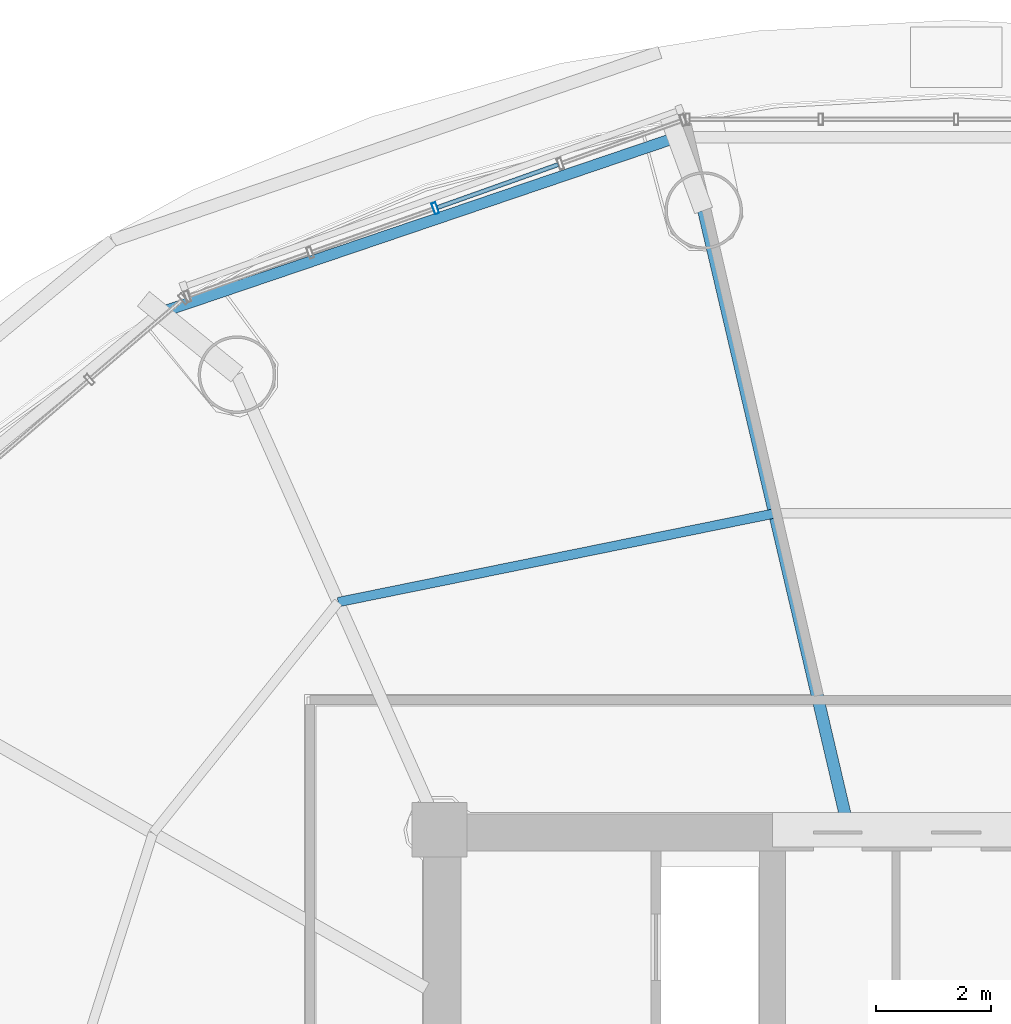
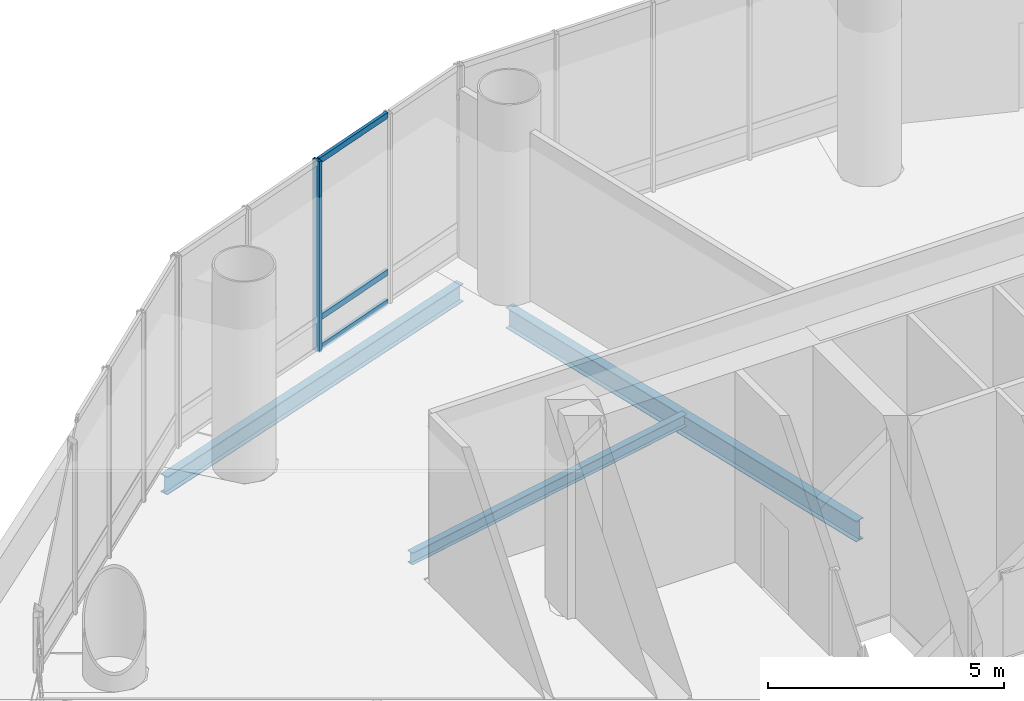
# One storey, part 15 of 29: 4 members, 3 beams, 1 element without a shape of its own.
"""IFC4 building model written with IfcOpenShell, lengths in metres."""

import ifcopenshell
import ifcopenshell.guid

model = None  # the IFC model being written
_history = None  # IfcOwnerHistory: only IFC2X3 demands one
_inside = {}  # id of a spatial element -> (the spatial element, [elements in it])
_under = {}  # id of a project, library or spatial element -> (it, [spatial elements below it])
_declared = {}  # id of a project -> (the project, [libraries it declares])
_typed = {}  # id of a type object -> (the type object, [elements of that type])
_made_of = {}  # id of a material, layer set ... -> (it, [elements and type objects made of it])


def new_model(schema):
    """Start an empty IFC model of exactly this schema.

    Asked for "IFC4X3", IfcOpenShell would pick the latest addendum, in which some entities
    have other attributes; the version numbers below select the first issue.
    IFC2X3 requires an IfcOwnerHistory on every rooted entity: one is made here for all.
    """
    global model, _history
    if schema == "IFC4X3":
        model = ifcopenshell.file(schema_version=(4, 3, 0, 0))
    else:
        model = ifcopenshell.file(schema=schema)
    _inside.clear()
    _under.clear()
    _declared.clear()
    _typed.clear()
    _made_of.clear()
    _history = None
    if model.schema == "IFC2X3":
        org = make("IfcOrganization", Name="unknown")
        user = make(
            "IfcPersonAndOrganization",
            ThePerson=make("IfcPerson", FamilyName="unknown"),
            TheOrganization=org,
        )
        app = make(
            "IfcApplication",
            ApplicationDeveloper=org,
            Version="unknown",
            ApplicationFullName="unknown",
            ApplicationIdentifier="unknown",
        )
        _history = make(
            "IfcOwnerHistory",
            OwningUser=user,
            OwningApplication=app,
            ChangeAction="ADDED",
            CreationDate=0,
        )
    return model


def make(cls, **values):
    """One entity of the class cls with the attributes given. An attribute that is None is left unset."""
    return model.create_entity(
        cls, **{name: value for name, value in values.items() if value is not None}
    )


def rooted(cls, **values):
    """An entity with a GlobalId (a new one), such as an element, a storey or a relation."""
    return make(cls, GlobalId=ifcopenshell.guid.new(), OwnerHistory=_history, **values)


def si_unit(unit_type, name, prefix=None):
    """IfcSIUnit, for example si_unit("LENGTHUNIT", "METRE", prefix="MILLI")."""
    return make("IfcSIUnit", UnitType=unit_type, Prefix=prefix, Name=name)


def assignment(units):
    """IfcUnitAssignment: the units of a project."""
    return None if units is None else make("IfcUnitAssignment", Units=units)


def point(xyz):
    """IfcCartesianPoint."""
    return None if xyz is None else make("IfcCartesianPoint", Coordinates=xyz)


def direction(xyz):
    """IfcDirection."""
    return None if xyz is None else make("IfcDirection", DirectionRatios=xyz)


def frame(location, z_axis=None, x_axis=None):
    """IfcAxis2Placement3D, a coordinate frame: its origin and axes. An axis left out is left unset."""
    return make(
        "IfcAxis2Placement3D",
        Location=point(location),
        Axis=direction(z_axis),
        RefDirection=direction(x_axis),
    )


def frame_2d(location, x_axis=None):
    """IfcAxis2Placement2D, a coordinate frame in the plane: its origin and x axis."""
    return make(
        "IfcAxis2Placement2D", Location=point(location), RefDirection=direction(x_axis)
    )


def origin():
    """The frame at (0, 0, 0) with its axes left unset."""
    return frame((0.0, 0.0, 0.0))


def origin_2d():
    """The frame at (0, 0) in the plane with its x axis left unset."""
    return frame_2d((0.0, 0.0))


def place(relative_to, where):
    """IfcLocalPlacement: puts the frame where relative to a parent placement (None: the world)."""
    return make(
        "IfcLocalPlacement", PlacementRelTo=relative_to, RelativePlacement=where
    )


def context(
    kind, dimensions, precision=None, world=None, true_north=None, identifier=None
):
    """IfcGeometricRepresentationContext, for example the 3D "Model" context."""
    return make(
        "IfcGeometricRepresentationContext",
        ContextIdentifier=identifier,
        ContextType=kind,
        CoordinateSpaceDimension=dimensions,
        Precision=precision,
        WorldCoordinateSystem=world,
        TrueNorth=true_north,
    )


def subcontext(parent, identifier, kind, view, scale=None):
    """IfcGeometricRepresentationSubContext, for example "Body" below "Model"."""
    return make(
        "IfcGeometricRepresentationSubContext",
        ContextIdentifier=identifier,
        ContextType=kind,
        ParentContext=parent,
        TargetScale=scale,
        TargetView=view,
    )


def project(units=None, contexts=None):
    """IfcProject with its units and contexts."""
    return rooted(
        "IfcProject",
        Name="project",
        RepresentationContexts=contexts,
        UnitsInContext=assignment(units),
    )


def spatial(cls, under=None, at=None, **own):
    """A site, building, storey or space (cls), placed at a placement, below another one or the project."""
    s = rooted(cls, ObjectPlacement=at, **own)
    if under is not None:
        _under.setdefault(under.id(), (under, []))[1].append(s)
    return s


def profile(cls, at=None, kind="AREA", **sizes):
    """A parametric profile (cls). Its sizes go by their IFC names, for example OverallWidth=200.0."""
    return make(cls, ProfileType=kind, Position=at, **sizes)


def hollow_rectangle(**sizes):
    """IfcRectangleHollowProfileDef."""
    return profile("IfcRectangleHollowProfileDef", **sizes)


def i_section(**sizes):
    """IfcIShapeProfileDef."""
    return profile("IfcIShapeProfileDef", **sizes)


def extrude(swept, where, along, depth):
    """IfcExtrudedAreaSolid: the profile swept, set in the frame where, extruded along a direction by depth."""
    return make(
        "IfcExtrudedAreaSolid",
        SweptArea=swept,
        Position=where,
        ExtrudedDirection=direction(along),
        Depth=depth,
    )


def shape(context_of_items, identifier, shape_type, items):
    """IfcShapeRepresentation: the items that make up one representation, for example the "Body"."""
    return make(
        "IfcShapeRepresentation",
        ContextOfItems=context_of_items,
        RepresentationIdentifier=identifier,
        RepresentationType=shape_type,
        Items=items,
    )


def source(mapping_origin, context_of_items, identifier, shape_type, items):
    """IfcRepresentationMap: a shape defined once, which mapped items show again and again."""
    return make(
        "IfcRepresentationMap",
        MappingOrigin=mapping_origin,
        MappedRepresentation=shape(context_of_items, identifier, shape_type, items),
    )


def transform(
    local_origin,
    x_axis=None,
    y_axis=None,
    z_axis=None,
    scale=None,
    scale2=None,
    scale3=None,
    uniform=True,
):
    """IfcCartesianTransformationOperator3D, or its non-uniform kind. x_axis, y_axis, z_axis: its Axis1, 2, 3."""
    if uniform:
        return make(
            "IfcCartesianTransformationOperator3D",
            Axis1=direction(x_axis),
            Axis2=direction(y_axis),
            LocalOrigin=point(local_origin),
            Scale=scale,
            Axis3=direction(z_axis),
        )
    return make(
        "IfcCartesianTransformationOperator3DnonUniform",
        Axis1=direction(x_axis),
        Axis2=direction(y_axis),
        LocalOrigin=point(local_origin),
        Scale=scale,
        Axis3=direction(z_axis),
        Scale2=scale2,
        Scale3=scale3,
    )


def mapped(mapping_source, mapping_target):
    """IfcMappedItem: shows the shape of a source again, moved by a transform."""
    return make(
        "IfcMappedItem", MappingSource=mapping_source, MappingTarget=mapping_target
    )


def material(Name=None, Category=None):
    """IfcMaterial."""
    return make("IfcMaterial", Name=Name, Category=Category)


def material_profile(
    of_material, cross_section, Name=None, Category=None, Priority=None
):
    """IfcMaterialProfile: a cross section and its material."""
    return make(
        "IfcMaterialProfile",
        Name=Name,
        Material=of_material,
        Profile=cross_section,
        Priority=Priority,
        Category=Category,
    )


def profile_set(profiles, Name=None, composite=None):
    """IfcMaterialProfileSet."""
    return make(
        "IfcMaterialProfileSet",
        Name=Name,
        MaterialProfiles=profiles,
        CompositeProfile=composite,
    )


def made_of(thing, what):
    """Note that an element or type object is made of a material, layer set ...; save() writes the relation."""
    if what is not None:
        _made_of.setdefault(what.id(), (what, []))[1].append(thing)
    return thing


def type_object(cls, material=None, **own):
    """A type object (cls), such as IfcWallType, which elements share."""
    return made_of(rooted(cls, **own), material)


def element(
    cls,
    number,
    at=None,
    inside=None,
    cuts=None,
    type_object=None,
    material=None,
    context=None,
    identifier="Body",
    shape_type=None,
    held_by="IfcProductDefinitionShape",
    body=None,
    shapes=None,
    **own,
):
    """One element of the class cls, such as IfcWall. Its Tag is "e" and its number.

    at: its placement. inside: the storey or other place that contains it. cuts: it is an
    opening in that element (IfcRelVoidsElement). A single representation is given by context,
    identifier, shape_type and body (its items); several are given by shapes. held_by: the class
    of the entity that holds the representations. save() writes the other relations.
    """
    e = rooted(cls, Tag="e%d" % number, ObjectPlacement=at, **own)
    if body is not None:
        shapes = [shape(context, identifier, shape_type, body)]
    if shapes is not None:
        e.Representation = make(held_by, Representations=shapes)
    if inside is not None:
        _inside.setdefault(inside.id(), (inside, []))[1].append(e)
    if cuts is not None:
        rooted(
            "IfcRelVoidsElement", RelatingBuildingElement=cuts, RelatedOpeningElement=e
        )
    if type_object is not None:
        _typed.setdefault(type_object.id(), (type_object, []))[1].append(e)
    return made_of(e, material)


def aggregate(whole, parts):
    """IfcRelAggregates: a whole, such as a stair, and the parts it consists of."""
    return rooted("IfcRelAggregates", RelatingObject=whole, RelatedObjects=parts)


def save(model, path):
    """Write the relations noted so far, then the file.

    IfcRelAggregates (storeys below a building ...), IfcRelContainedInSpatialStructure (elements
    in a storey), IfcRelDefinesByType, IfcRelAssociatesMaterial and IfcRelDeclares: one each for
    every whole, place, type object, material and project.
    """
    for whole, parts in _under.values():
        aggregate(whole, parts)
    for where, things in _inside.values():
        rooted(
            "IfcRelContainedInSpatialStructure",
            RelatedElements=things,
            RelatingStructure=where,
        )
    for kind, things in _typed.values():
        rooted("IfcRelDefinesByType", RelatedObjects=things, RelatingType=kind)
    for what, things in _made_of.values():
        rooted("IfcRelAssociatesMaterial", RelatedObjects=things, RelatingMaterial=what)
    for by, libraries in _declared.values():
        rooted("IfcRelDeclares", RelatingContext=by, RelatedDefinitions=libraries)
    model.write(path)


model = new_model("IFC4")

# Units and contexts
model_context = context("Model", 3, precision=1e-05, world=origin(), true_north=direction((-0.2419218956, 0.970295726276)))
body_context = subcontext(model_context, "Body", "Model", "MODEL_VIEW")
ifc_project = project(units=[si_unit("LENGTHUNIT", "METRE"), si_unit("AREAUNIT", "SQUARE_METRE"), si_unit("VOLUMEUNIT", "CUBIC_METRE"), si_unit("PLANEANGLEUNIT", "RADIAN"), si_unit("MASSUNIT", "GRAM", prefix="KILO")], contexts=[model_context])

# Site, building, storey
site_placement = place(None, origin())
site = spatial("IfcSite", under=ifc_project, at=site_placement, CompositionType="ELEMENT")
building_placement = place(site_placement, origin())
building = spatial("IfcBuilding", under=site, at=building_placement, Name="Cobrevalo Terracotta Tower", CompositionType="ELEMENT")
storey_placement = place(building_placement, frame((0.0, 0.0, 130.199951171875)))
storey = spatial("IfcBuildingStorey", under=building, at=storey_placement, Name="L34", CompositionType="ELEMENT", Elevation=130.199951171875)

# Beams
ifc_material_1 = material(Name="Steel S355", Category="steel")
ifc_material_profile_1 = material_profile(ifc_material_1, i_section(OverallWidth=0.2109375, OverallDepth=0.5390625, WebThickness=0.01171875, FlangeThickness=0.018798828125, at=origin_2d()), Name="W 530x109")
ifc_profile_set_1 = profile_set([ifc_material_profile_1], Name="Steel S355")
beam_type_1 = type_object("IfcBeamType", Name="Structural Beam W 530x109 (Steel S355)", PredefinedType="BEAM", material=ifc_profile_set_1)
beam_1_placement = place(storey_placement, frame((33.600830078125, 45.58203125, -0.719482421875), z_axis=(0.228043508766, -0.973650942643, 0.0), x_axis=(0.973650942643, 0.228043508766, 0.0)))
element("IfcBeam", 1, at=beam_1_placement, inside=storey, type_object=beam_type_1, Name="L34 radial floor girder 05", PredefinedType="BEAM", context=body_context, shape_type="SweptSolid", body=[
    extrude(i_section(OverallWidth=0.2109375, OverallDepth=0.5390625, WebThickness=0.01171875, FlangeThickness=0.018798828125, at=origin_2d()), origin(), (0.0, 0.0, 1.0), 10.837646484375),
])
ifc_material_profile_2 = material_profile(ifc_material_1, i_section(OverallWidth=0.1650390625, OverallDepth=0.31005859375, WebThickness=0.005859375, FlangeThickness=0.009765625, at=origin_2d()), Name="W 310x38.7")
ifc_profile_set_2 = profile_set([ifc_material_profile_2], Name="Steel S355")
beam_type_2 = type_object("IfcBeamType", Name="Structural Joist W 310x38.7 (Steel S355)", PredefinedType="JOIST", material=ifc_profile_set_2)
beam_2_placement = place(storey_placement, frame((34.83642578125, 40.305908203125, -0.60498046875), z_axis=(-0.979966973827, -0.199160061782, 0.0), x_axis=(0.199160061782, -0.979966973827, 0.0)))
element("IfcBeam", 2, at=beam_2_placement, inside=storey, type_object=beam_type_2, Name="L34 circumferential secondary floor joist 05", PredefinedType="JOIST", context=body_context, shape_type="SweptSolid", body=[
    extrude(i_section(OverallWidth=0.1650390625, OverallDepth=0.31005859375, WebThickness=0.005859375, FlangeThickness=0.009765625, at=origin_2d()), origin(), (0.0, 0.0, 1.0), 7.755859375),
])
ifc_material_profile_3 = material_profile(ifc_material_1, i_section(OverallWidth=0.194091796875, OverallDepth=0.468994140625, WebThickness=0.011474609375, FlangeThickness=0.0205078125, at=origin_2d()), Name="W 460x106")
ifc_profile_set_3 = profile_set([ifc_material_profile_3], Name="Steel S355")
beam_type_3 = type_object("IfcBeamType", Name="Structural Spandrel W 460x106 (Steel S355)", PredefinedType="SPANDREL", material=ifc_profile_set_3)
beam_3_placement = place(storey_placement, frame((33.132568359375, 46.857177734375, -0.6845703125), z_axis=(-0.946910528816, -0.32149720126, 0.0), x_axis=(0.32149720126, -0.946910528816, 0.0)))
element("IfcBeam", 3, at=beam_3_placement, inside=storey, type_object=beam_type_3, Name="L34 perimeter ring spandrel 05", PredefinedType="SPANDREL", context=body_context, shape_type="SweptSolid", body=[
    extrude(i_section(OverallWidth=0.194091796875, OverallDepth=0.468994140625, WebThickness=0.011474609375, FlangeThickness=0.0205078125, at=origin_2d()), origin(), (0.0, 0.0, 1.0), 9.498291015625),
])

# Curtain wall, members
ifc_material_2 = material(Name="Anodized aluminium", Category="aluminium")
curtain_wall_type = type_object("IfcCurtainWallType", Name="Double-height sky-lobby panoramic curtain wall CW-SK", PredefinedType="NOTDEFINED", material=ifc_material_2)
curtain_wall_placement = place(storey_placement, origin())
curtain_wall = element("IfcCurtainWall", 4, at=curtain_wall_placement, inside=storey, type_object=curtain_wall_type, Name="L34 curtain wall CW-SK-L34-S05", PredefinedType="NOTDEFINED")
ifc_material_profile_4 = material_profile(ifc_material_2, hollow_rectangle(XDim=0.074951171875, YDim=0.199951171875, WallThickness=0.0048828125, at=origin_2d()), Name="CWM 75x200")
ifc_profile_set_4 = profile_set([ifc_material_profile_4], Name="Anodized aluminium")
member_type_1 = type_object("IfcMemberType", Name="Lower/mid tower unitised mullion 75x200", PredefinedType="MULLION", material=ifc_profile_set_4)
shared_shape_1 = source(origin(), body_context, "Body", "SweptSolid", [
    extrude(hollow_rectangle(XDim=0.074951171875, YDim=0.199951171875, WallThickness=0.0048828125, at=origin_2d()), origin(), (0.0, 0.0, 1.0), 4.929931640625),
])
member_1_placement = place(storey_placement, frame((28.92822265625, 45.620361328125, 0.0), z_axis=(0.0, 0.0, 1.0), x_axis=(-0.942098428897, -0.335336473217, 0.0)))
member_1 = element("IfcMember", 5, at=member_1_placement, type_object=member_type_1, Name="CW-SK-L34-S05 vertical mullion 03", PredefinedType="MULLION", context=body_context, shape_type="MappedRepresentation", body=[
    mapped(shared_shape_1, transform((0.0, 0.0, 0.0), scale=1.0)),
])
ifc_material_profile_5 = material_profile(ifc_material_2, hollow_rectangle(XDim=0.074951171875, YDim=0.14990234375, WallThickness=0.00439453125, at=origin_2d()), Name="CWT 75x150")
ifc_profile_set_5 = profile_set([ifc_material_profile_5], Name="Anodized aluminium")
member_type_2 = type_object("IfcMemberType", Name="Tower unitised aluminium transom 75x150", PredefinedType="USERDEFINED", material=ifc_profile_set_5)
shared_shape_2 = source(origin(), body_context, "Body", "SweptSolid", [
    extrude(hollow_rectangle(XDim=0.074951171875, YDim=0.14990234375, WallThickness=0.00439453125, at=origin_2d()), origin(), (0.0, 0.0, 1.0), 2.23193359375),
])
member_2_placement = place(storey_placement, frame((31.06884765625, 46.382080078125, 0.050048828125), z_axis=(-0.942124885756, -0.335262135707, 0.0), x_axis=(0.335262135707, -0.942124885756, 0.0)))
member_2 = element("IfcMember", 6, at=member_2_placement, type_object=member_type_2, Name="CW-SK-L34-S05 transom B02-T1", ObjectType="TRANSOM", PredefinedType="USERDEFINED", context=body_context, shape_type="MappedRepresentation", body=[
    mapped(shared_shape_2, transform((0.0, 0.0, 0.0), scale=1.0)),
])
member_3_placement = place(storey_placement, frame((31.06884765625, 46.382080078125, 0.820068359375), z_axis=(-0.942124885756, -0.335262135707, 0.0), x_axis=(0.335262135707, -0.942124885756, 0.0)))
member_3 = element("IfcMember", 7, at=member_3_placement, type_object=member_type_2, Name="CW-SK-L34-S05 transom B02-T2", ObjectType="TRANSOM", PredefinedType="USERDEFINED", context=body_context, shape_type="MappedRepresentation", body=[
    mapped(shared_shape_2, transform((0.0, 0.0, 0.0), scale=1.0)),
])
member_4_placement = place(storey_placement, frame((31.06884765625, 46.382080078125, 4.880126953125), z_axis=(-0.942124885756, -0.335262135707, 0.0), x_axis=(0.335262135707, -0.942124885756, 0.0)))
member_4 = element("IfcMember", 8, at=member_4_placement, type_object=member_type_2, Name="CW-SK-L34-S05 transom B02-T3", ObjectType="TRANSOM", PredefinedType="USERDEFINED", context=body_context, shape_type="MappedRepresentation", body=[
    mapped(shared_shape_2, transform((0.0, 0.0, 0.0), scale=1.0)),
])
aggregate(curtain_wall, [member_1, member_2, member_3, member_4])

save(model, "model.ifc")
